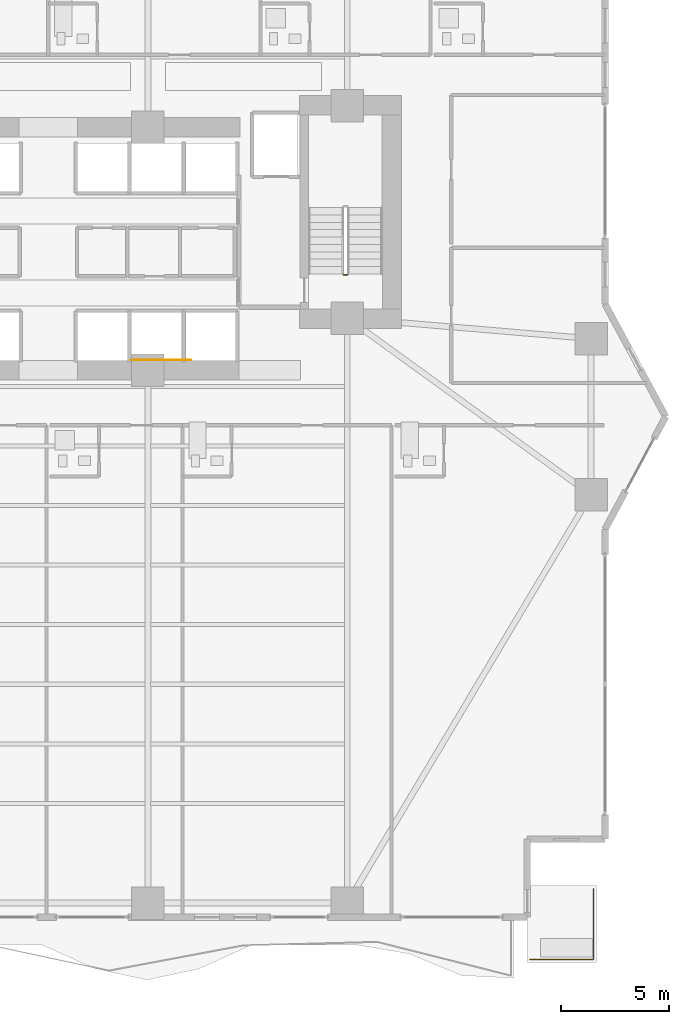
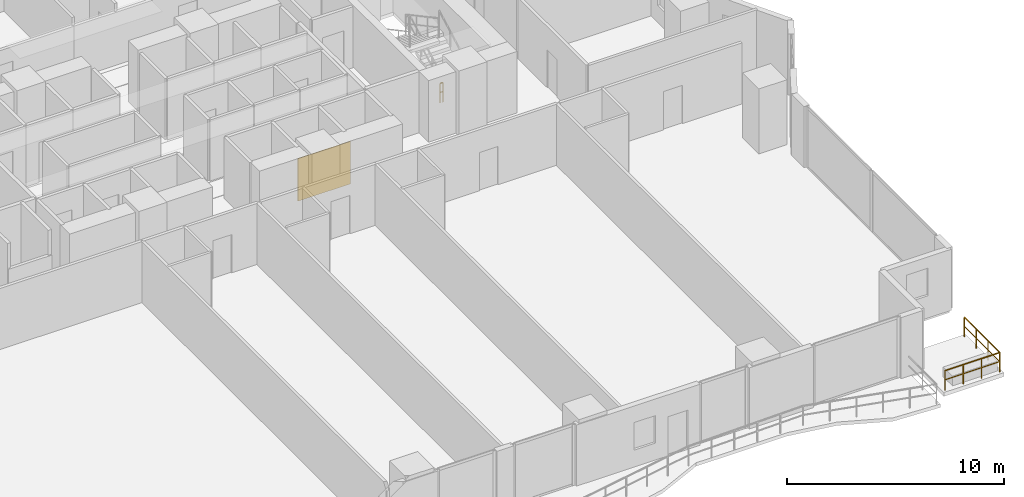
# One storey, part 26 of 30: 2 railings, 1 covering.
"""IFC4 building model written with IfcOpenShell, lengths in metres."""

from ifc_helpers import new_model, si_unit, direction, frame, origin, origin_2d, place, context, subcontext, project, spatial, rectangle, extrude, material, layer, layer_set, type_object, element, save


model = new_model("IFC4")

# Units and contexts
model_context = context("Model", 3, precision=1e-05, world=origin(), true_north=direction((0.0, 1.0)))
body_context = subcontext(model_context, "Body", "Model", "MODEL_VIEW")
ifc_project = project(units=[si_unit("LENGTHUNIT", "METRE"), si_unit("AREAUNIT", "SQUARE_METRE"), si_unit("VOLUMEUNIT", "CUBIC_METRE"), si_unit("PLANEANGLEUNIT", "RADIAN"), si_unit("MASSUNIT", "GRAM", prefix="KILO")], contexts=[model_context])

# Site, building, storey
site_placement = place(None, origin())
site = spatial("IfcSite", under=ifc_project, at=site_placement, CompositionType="ELEMENT")
building_placement = place(site_placement, origin())
building = spatial("IfcBuilding", under=site, at=building_placement, Name="Zuhayl Quay Hotel", CompositionType="ELEMENT")
storey_placement = place(building_placement, frame((0.0, 0.0, 82.35009765625)))
storey = spatial("IfcBuildingStorey", under=building, at=storey_placement, Name="L20", CompositionType="ELEMENT", Elevation=82.35009765625)

# Covering
ifc_material_1 = material(Name="Acoustic Walnut Feature Timber", Category="wood")
ifc_layer = layer(ifc_material_1, 0.02197265625, Name="Acoustic Walnut Feature Timber", Category="wood")
ifc_layer_set = layer_set([ifc_layer], Name="Acoustic Walnut Feature Timber")
covering_type = type_object("IfcCoveringType", Name="CV_WALL_CLAD", PredefinedType="CLADDING", material=ifc_layer_set)
covering_placement = place(storey_placement, frame((5.199951171875, 2.611083984375, 0.300048828125), z_axis=(0.0, 0.0, 1.0), x_axis=(1.0, 0.0, 0.0)))
element("IfcCovering", 1, at=covering_placement, inside=storey, type_object=covering_type, Name="L20 Feature Lobby Walnut Wall Cladding E", PredefinedType="CLADDING", context=body_context, shape_type="SweptSolid", body=[
    extrude(rectangle(XDim=2.800048828125, YDim=0.02197265625, at=origin_2d()), origin(), (0.0, 0.0, 1.0), 2.39990234375),
])

# Railings
ifc_material_2 = material(Name="Anodised Aluminium and Laminated Glass", Category="aluminium")
railing_type_1 = type_object("IfcRailingType", Name="RL_EXT_BAL_1100", PredefinedType="BALUSTRADE", material=ifc_material_2)
railing_1_placement = place(storey_placement, frame((22.239990234375, -25.06005859375, 0.0)))
element("IfcRailing", 2, at=railing_1_placement, inside=storey, type_object=railing_type_1, Name="L20 Balcony and Terrace Guard GR_L20_SPIRAL_SE", PredefinedType="BALUSTRADE", context=body_context, shape_type="SweptSolid", body=[
    extrude(rectangle(XDim=0.048095703125, YDim=0.048095703125, at=origin_2d()), frame((0.0, 0.0, 1.09619140625), z_axis=(1.0, 0.0, 0.0), x_axis=(0.0, 1.0, 0.0)), (0.0, 0.0, 1.0), 2.919921875),
    extrude(rectangle(XDim=0.0361328125, YDim=0.0361328125, at=origin_2d()), frame((0.0, 0.0, 0.58251953125), z_axis=(1.0, 0.0, 0.0), x_axis=(0.0, 1.0, 0.0)), (0.0, 0.0, 1.0), 2.919921875),
    extrude(rectangle(XDim=0.048095703125, YDim=0.048095703125, at=origin_2d()), frame((2.919921875, 0.0, 1.09619140625), z_axis=(0.0, 1.0, 0.0), x_axis=(-1.0, 0.0, 0.0)), (0.0, 0.0, 1.0), 3.27001953125),
    extrude(rectangle(XDim=0.0361328125, YDim=0.0361328125, at=origin_2d()), frame((2.919921875, 0.0, 0.58251953125), z_axis=(0.0, 1.0, 0.0), x_axis=(-1.0, 0.0, 0.0)), (0.0, 0.0, 1.0), 3.27001953125),
    extrude(rectangle(XDim=0.0419921875, YDim=0.0419921875, at=origin_2d()), origin(), (0.0, 0.0, 1.0), 1.072021484375),
    extrude(rectangle(XDim=0.0419921875, YDim=0.0419921875, at=origin_2d()), frame((0.973388671875, 0.0, 0.0)), (0.0, 0.0, 1.0), 1.072021484375),
    extrude(rectangle(XDim=0.0419921875, YDim=0.0419921875, at=origin_2d()), frame((1.946533203125, 0.0, 0.0)), (0.0, 0.0, 1.0), 1.072021484375),
    extrude(rectangle(XDim=0.0419921875, YDim=0.0419921875, at=origin_2d()), frame((2.919921875, 0.0, 0.0)), (0.0, 0.0, 1.0), 1.072021484375),
    extrude(rectangle(XDim=0.0419921875, YDim=0.0419921875, at=origin_2d()), frame((2.919921875, 1.090087890625, 0.0)), (0.0, 0.0, 1.0), 1.072021484375),
    extrude(rectangle(XDim=0.0419921875, YDim=0.0419921875, at=origin_2d()), frame((2.919921875, 2.179931640625, 0.0)), (0.0, 0.0, 1.0), 1.072021484375),
    extrude(rectangle(XDim=0.0419921875, YDim=0.0419921875, at=origin_2d()), frame((2.919921875, 3.27001953125, 0.0)), (0.0, 0.0, 1.0), 1.072021484375),
])
ifc_material_3 = material(Name="Steel ASTM A992 Grade 50", Category="steel")
railing_type_2 = type_object("IfcRailingType", Name="RL_GUARD_1100", PredefinedType="GUARDRAIL", material=ifc_material_3)
railing_2_placement = place(storey_placement, frame((13.7900390625, 6.5400390625, 0.0)))
element("IfcRailing", 3, at=railing_2_placement, inside=storey, type_object=railing_type_2, Name="L20 ST2 stair guard 4", PredefinedType="GUARDRAIL", context=body_context, shape_type="SweptSolid", body=[
    extrude(rectangle(XDim=0.048095703125, YDim=0.048095703125, at=origin_2d()), frame((0.0, 0.0, 1.09619140625), z_axis=(-1.0, 0.0, 0.0), x_axis=(0.0, -1.0, 0.0)), (0.0, 0.0, 1.0), 0.150146484375),
    extrude(rectangle(XDim=0.0361328125, YDim=0.0361328125, at=origin_2d()), frame((0.0, 0.0, 0.58251953125), z_axis=(-1.0, 0.0, 0.0), x_axis=(0.0, -1.0, 0.0)), (0.0, 0.0, 1.0), 0.150146484375),
    extrude(rectangle(XDim=0.0419921875, YDim=0.0419921875, at=origin_2d()), origin(), (0.0, 0.0, 1.0), 1.072021484375),
    extrude(rectangle(XDim=0.0419921875, YDim=0.0419921875, at=origin_2d()), frame((-0.150146484375, 0.0, 0.0)), (0.0, 0.0, 1.0), 1.072021484375),
])

save(model, "model.ifc")
